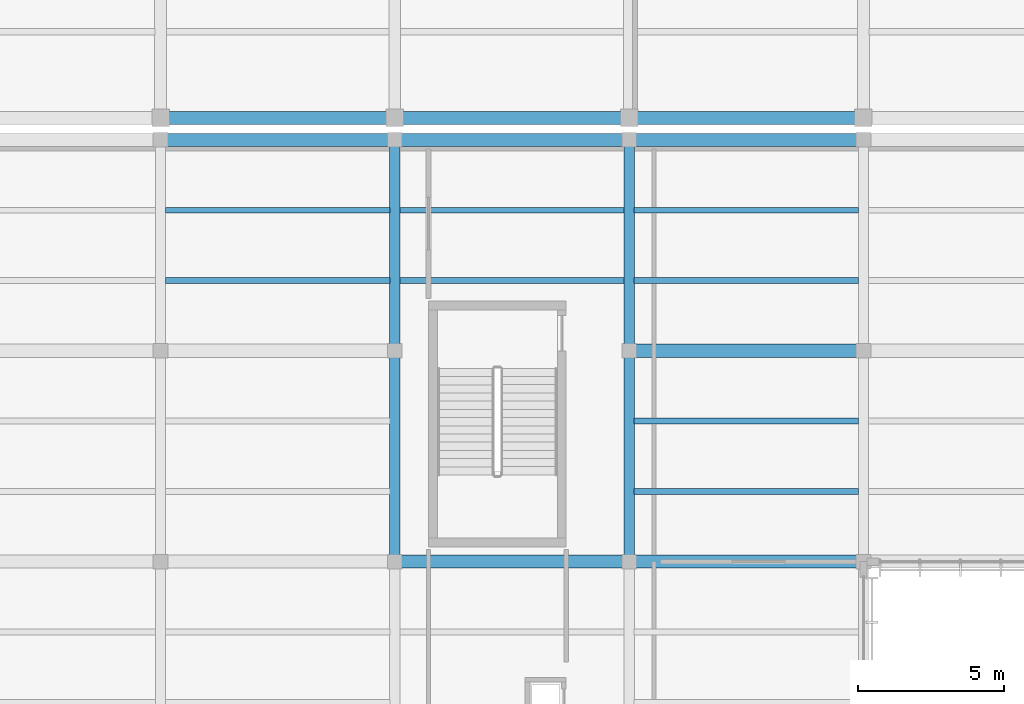
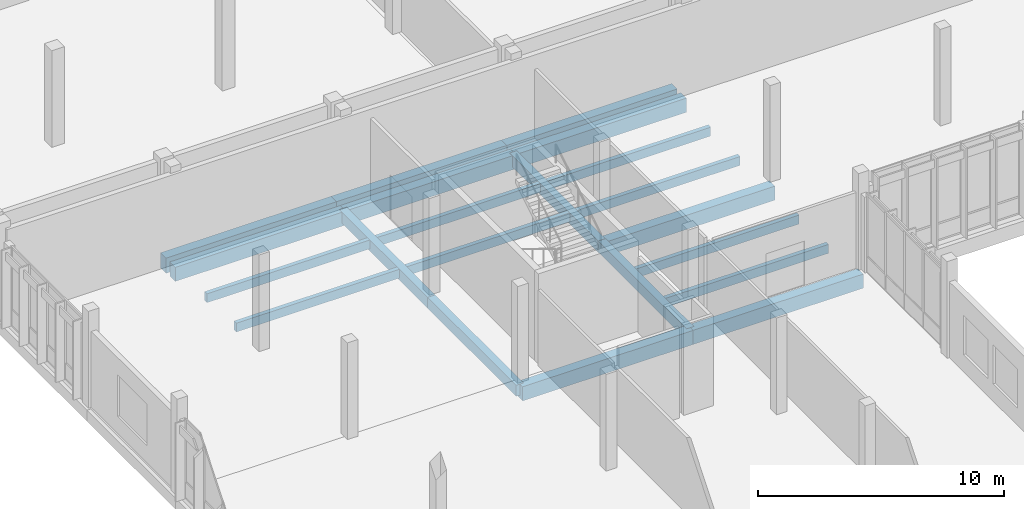
# One storey, part 66 of 177: 21 beams.
"""IFC4 building model written with IfcOpenShell, lengths in metres."""

import ifcopenshell
import ifcopenshell.guid

model = None  # the IFC model being written
_history = None  # IfcOwnerHistory: only IFC2X3 demands one
_inside = {}  # id of a spatial element -> (the spatial element, [elements in it])
_under = {}  # id of a project, library or spatial element -> (it, [spatial elements below it])
_declared = {}  # id of a project -> (the project, [libraries it declares])
_typed = {}  # id of a type object -> (the type object, [elements of that type])
_made_of = {}  # id of a material, layer set ... -> (it, [elements and type objects made of it])


def new_model(schema):
    """Start an empty IFC model of exactly this schema.

    Asked for "IFC4X3", IfcOpenShell would pick the latest addendum, in which some entities
    have other attributes; the version numbers below select the first issue.
    IFC2X3 requires an IfcOwnerHistory on every rooted entity: one is made here for all.
    """
    global model, _history
    if schema == "IFC4X3":
        model = ifcopenshell.file(schema_version=(4, 3, 0, 0))
    else:
        model = ifcopenshell.file(schema=schema)
    _inside.clear()
    _under.clear()
    _declared.clear()
    _typed.clear()
    _made_of.clear()
    _history = None
    if model.schema == "IFC2X3":
        org = make("IfcOrganization", Name="unknown")
        user = make(
            "IfcPersonAndOrganization",
            ThePerson=make("IfcPerson", FamilyName="unknown"),
            TheOrganization=org,
        )
        app = make(
            "IfcApplication",
            ApplicationDeveloper=org,
            Version="unknown",
            ApplicationFullName="unknown",
            ApplicationIdentifier="unknown",
        )
        _history = make(
            "IfcOwnerHistory",
            OwningUser=user,
            OwningApplication=app,
            ChangeAction="ADDED",
            CreationDate=0,
        )
    return model


def make(cls, **values):
    """One entity of the class cls with the attributes given. An attribute that is None is left unset."""
    return model.create_entity(
        cls, **{name: value for name, value in values.items() if value is not None}
    )


def rooted(cls, **values):
    """An entity with a GlobalId (a new one), such as an element, a storey or a relation."""
    return make(cls, GlobalId=ifcopenshell.guid.new(), OwnerHistory=_history, **values)


def si_unit(unit_type, name, prefix=None):
    """IfcSIUnit, for example si_unit("LENGTHUNIT", "METRE", prefix="MILLI")."""
    return make("IfcSIUnit", UnitType=unit_type, Prefix=prefix, Name=name)


def assignment(units):
    """IfcUnitAssignment: the units of a project."""
    return None if units is None else make("IfcUnitAssignment", Units=units)


def point(xyz):
    """IfcCartesianPoint."""
    return None if xyz is None else make("IfcCartesianPoint", Coordinates=xyz)


def direction(xyz):
    """IfcDirection."""
    return None if xyz is None else make("IfcDirection", DirectionRatios=xyz)


def frame(location, z_axis=None, x_axis=None):
    """IfcAxis2Placement3D, a coordinate frame: its origin and axes. An axis left out is left unset."""
    return make(
        "IfcAxis2Placement3D",
        Location=point(location),
        Axis=direction(z_axis),
        RefDirection=direction(x_axis),
    )


def frame_2d(location, x_axis=None):
    """IfcAxis2Placement2D, a coordinate frame in the plane: its origin and x axis."""
    return make(
        "IfcAxis2Placement2D", Location=point(location), RefDirection=direction(x_axis)
    )


def origin():
    """The frame at (0, 0, 0) with its axes left unset."""
    return frame((0.0, 0.0, 0.0))


def origin_2d():
    """The frame at (0, 0) in the plane with its x axis left unset."""
    return frame_2d((0.0, 0.0))


def place(relative_to, where):
    """IfcLocalPlacement: puts the frame where relative to a parent placement (None: the world)."""
    return make(
        "IfcLocalPlacement", PlacementRelTo=relative_to, RelativePlacement=where
    )


def context(
    kind, dimensions, precision=None, world=None, true_north=None, identifier=None
):
    """IfcGeometricRepresentationContext, for example the 3D "Model" context."""
    return make(
        "IfcGeometricRepresentationContext",
        ContextIdentifier=identifier,
        ContextType=kind,
        CoordinateSpaceDimension=dimensions,
        Precision=precision,
        WorldCoordinateSystem=world,
        TrueNorth=true_north,
    )


def subcontext(parent, identifier, kind, view, scale=None):
    """IfcGeometricRepresentationSubContext, for example "Body" below "Model"."""
    return make(
        "IfcGeometricRepresentationSubContext",
        ContextIdentifier=identifier,
        ContextType=kind,
        ParentContext=parent,
        TargetScale=scale,
        TargetView=view,
    )


def project(units=None, contexts=None):
    """IfcProject with its units and contexts."""
    return rooted(
        "IfcProject",
        Name="project",
        RepresentationContexts=contexts,
        UnitsInContext=assignment(units),
    )


def spatial(cls, under=None, at=None, **own):
    """A site, building, storey or space (cls), placed at a placement, below another one or the project."""
    s = rooted(cls, ObjectPlacement=at, **own)
    if under is not None:
        _under.setdefault(under.id(), (under, []))[1].append(s)
    return s


def profile(cls, at=None, kind="AREA", **sizes):
    """A parametric profile (cls). Its sizes go by their IFC names, for example OverallWidth=200.0."""
    return make(cls, ProfileType=kind, Position=at, **sizes)


def rectangle(**sizes):
    """IfcRectangleProfileDef."""
    return profile("IfcRectangleProfileDef", **sizes)


def extrude(swept, where, along, depth):
    """IfcExtrudedAreaSolid: the profile swept, set in the frame where, extruded along a direction by depth."""
    return make(
        "IfcExtrudedAreaSolid",
        SweptArea=swept,
        Position=where,
        ExtrudedDirection=direction(along),
        Depth=depth,
    )


def shape(context_of_items, identifier, shape_type, items):
    """IfcShapeRepresentation: the items that make up one representation, for example the "Body"."""
    return make(
        "IfcShapeRepresentation",
        ContextOfItems=context_of_items,
        RepresentationIdentifier=identifier,
        RepresentationType=shape_type,
        Items=items,
    )


def material(Name=None, Category=None):
    """IfcMaterial."""
    return make("IfcMaterial", Name=Name, Category=Category)


def material_profile(
    of_material, cross_section, Name=None, Category=None, Priority=None
):
    """IfcMaterialProfile: a cross section and its material."""
    return make(
        "IfcMaterialProfile",
        Name=Name,
        Material=of_material,
        Profile=cross_section,
        Priority=Priority,
        Category=Category,
    )


def profile_set(profiles, Name=None, composite=None):
    """IfcMaterialProfileSet."""
    return make(
        "IfcMaterialProfileSet",
        Name=Name,
        MaterialProfiles=profiles,
        CompositeProfile=composite,
    )


def made_of(thing, what):
    """Note that an element or type object is made of a material, layer set ...; save() writes the relation."""
    if what is not None:
        _made_of.setdefault(what.id(), (what, []))[1].append(thing)
    return thing


def type_object(cls, material=None, **own):
    """A type object (cls), such as IfcWallType, which elements share."""
    return made_of(rooted(cls, **own), material)


def element(
    cls,
    number,
    at=None,
    inside=None,
    cuts=None,
    type_object=None,
    material=None,
    context=None,
    identifier="Body",
    shape_type=None,
    held_by="IfcProductDefinitionShape",
    body=None,
    shapes=None,
    **own,
):
    """One element of the class cls, such as IfcWall. Its Tag is "e" and its number.

    at: its placement. inside: the storey or other place that contains it. cuts: it is an
    opening in that element (IfcRelVoidsElement). A single representation is given by context,
    identifier, shape_type and body (its items); several are given by shapes. held_by: the class
    of the entity that holds the representations. save() writes the other relations.
    """
    e = rooted(cls, Tag="e%d" % number, ObjectPlacement=at, **own)
    if body is not None:
        shapes = [shape(context, identifier, shape_type, body)]
    if shapes is not None:
        e.Representation = make(held_by, Representations=shapes)
    if inside is not None:
        _inside.setdefault(inside.id(), (inside, []))[1].append(e)
    if cuts is not None:
        rooted(
            "IfcRelVoidsElement", RelatingBuildingElement=cuts, RelatedOpeningElement=e
        )
    if type_object is not None:
        _typed.setdefault(type_object.id(), (type_object, []))[1].append(e)
    return made_of(e, material)


def aggregate(whole, parts):
    """IfcRelAggregates: a whole, such as a stair, and the parts it consists of."""
    return rooted("IfcRelAggregates", RelatingObject=whole, RelatedObjects=parts)


def save(model, path):
    """Write the relations noted so far, then the file.

    IfcRelAggregates (storeys below a building ...), IfcRelContainedInSpatialStructure (elements
    in a storey), IfcRelDefinesByType, IfcRelAssociatesMaterial and IfcRelDeclares: one each for
    every whole, place, type object, material and project.
    """
    for whole, parts in _under.values():
        aggregate(whole, parts)
    for where, things in _inside.values():
        rooted(
            "IfcRelContainedInSpatialStructure",
            RelatedElements=things,
            RelatingStructure=where,
        )
    for kind, things in _typed.values():
        rooted("IfcRelDefinesByType", RelatedObjects=things, RelatingType=kind)
    for what, things in _made_of.values():
        rooted("IfcRelAssociatesMaterial", RelatedObjects=things, RelatingMaterial=what)
    for by, libraries in _declared.values():
        rooted("IfcRelDeclares", RelatingContext=by, RelatedDefinitions=libraries)
    model.write(path)


model = new_model("IFC4")

# Units and contexts
model_context = context("Model", 3, precision=1e-05, world=origin(), true_north=direction((0.0, 1.0)))
body_context = subcontext(model_context, "Body", "Model", "MODEL_VIEW")
ifc_project = project(units=[si_unit("LENGTHUNIT", "METRE"), si_unit("AREAUNIT", "SQUARE_METRE"), si_unit("VOLUMEUNIT", "CUBIC_METRE"), si_unit("PLANEANGLEUNIT", "RADIAN"), si_unit("MASSUNIT", "GRAM", prefix="KILO")], contexts=[model_context])

# Site, building, storey
site_placement = place(None, origin())
site = spatial("IfcSite", under=ifc_project, at=site_placement, CompositionType="ELEMENT")
building_placement = place(site_placement, origin())
building = spatial("IfcBuilding", under=site, at=building_placement, Name="Chiffa Square Polytechnic", CompositionType="ELEMENT")
storey_placement = place(building_placement, frame((0.0, 0.0, 4.800048828125)))
storey = spatial("IfcBuildingStorey", under=building, at=storey_placement, Name="L01", CompositionType="ELEMENT", Elevation=4.800048828125)

# Beams
ifc_material_1 = material(Name="Concrete C35/45", Category="concrete")
ifc_material_profile_1 = material_profile(ifc_material_1, rectangle(XDim=0.35009765625, YDim=0.550048828125, at=origin_2d()), Name="RC 350x550")
ifc_profile_set_1 = profile_set([ifc_material_profile_1], Name="Concrete C35/45")
beam_type_1 = type_object("IfcBeamType", Name="BM-RC-350X550", PredefinedType="BEAM", material=ifc_profile_set_1)
for number, where, z_axis, x_axis, name in (
    (1, (16.0, 79.800048828125, -0.554931640625), (0.0, 1.0, 0.0), (-1.0, 0.0, 0.0), "Primary floor girder BM-V6-L01-Y-0160-0798"),
    (2, (16.0, 87.0, -0.554931640625), (0.0, 1.0, 0.0), (-1.0, 0.0, 0.0), "Primary floor girder BM-V6-L01-Y-0160-0870"),
    (3, (24.0, 79.800048828125, -0.554931640625), (0.0, 1.0, 0.0), (-1.0, 0.0, 0.0), "Primary floor girder BM-V6-L01-Y-0240-0798"),
    (4, (24.0, 87.0, -0.554931640625), (0.0, 1.0, 0.0), (-1.0, 0.0, 0.0), "Primary floor girder BM-V6-L01-Y-0240-0870"),
):
    element("IfcBeam", number, at=place(storey_placement, frame(where, z_axis=z_axis, x_axis=x_axis)), inside=storey, type_object=beam_type_1, Name=name, PredefinedType="BEAM", context=body_context, shape_type="SweptSolid", body=[
        extrude(rectangle(XDim=0.35009765625, YDim=0.550048828125, at=origin_2d()), origin(), (0.0, 0.0, 1.0), 7.199951171875),
    ])
ifc_material_profile_2 = material_profile(ifc_material_1, rectangle(XDim=0.449951171875, YDim=0.699951171875, at=origin_2d()), Name="RC 450x700")
ifc_profile_set_2 = profile_set([ifc_material_profile_2], Name="Concrete C35/45")
beam_type_2 = type_object("IfcBeamType", Name="BM-RC-450X700", PredefinedType="BEAM", material=ifc_profile_set_2)
for number, where, z_axis, x_axis, name in (
    (5, (16.0, 79.800048828125, -0.630126953125), (1.0, 0.0, 0.0), (0.0, 1.0, 0.0), "Primary floor girder BM-V6-L01-X-0160-0798"),
    (6, (24.0, 79.800048828125, -0.630126953125), (1.0, 0.0, 0.0), (0.0, 1.0, 0.0), "Primary floor girder BM-V6-L01-X-0240-0798"),
    (7, (24.0, 87.0, -0.630126953125), (1.0, 0.0, 0.0), (0.0, 1.0, 0.0), "Primary floor girder BM-V6-L01-X-0240-0870"),
    (8, (8.0, 94.199951171875, -0.630126953125), (1.0, 0.0, 0.0), (0.0, 1.0, 0.0), "Primary floor girder BM-V6-L01-X-0080-0942"),
    (9, (16.0, 94.199951171875, -0.630126953125), (1.0, 0.0, 0.0), (0.0, 1.0, 0.0), "Primary floor girder BM-V6-L01-X-0160-0942"),
    (10, (24.0, 94.199951171875, -0.630126953125), (1.0, 0.0, 0.0), (0.0, 1.0, 0.0), "Primary floor girder BM-V6-L01-X-0240-0942"),
):
    element("IfcBeam", number, at=place(storey_placement, frame(where, z_axis=z_axis, x_axis=x_axis)), inside=storey, type_object=beam_type_2, Name=name, PredefinedType="BEAM", context=body_context, shape_type="SweptSolid", body=[
        extrude(rectangle(XDim=0.449951171875, YDim=0.699951171875, at=origin_2d()), origin(), (0.0, 0.0, 1.0), 8.0),
    ])
ifc_material_profile_3 = material_profile(ifc_material_1, rectangle(XDim=0.449951171875, YDim=0.75, at=origin_2d()), Name="RC 450x750")
ifc_profile_set_3 = profile_set([ifc_material_profile_3], Name="Concrete C35/45")
beam_type_3 = type_object("IfcBeamType", Name="BM-RC-450X750", PredefinedType="BEAM", material=ifc_profile_set_3)
for number, where, z_axis, x_axis, name in (
    (11, (8.0, 94.949951171875, -0.655029296875), (1.0, 0.0, 0.0), (0.0, 1.0, 0.0), "Primary floor girder BM-V5-L01-X-0080-0950"),
    (12, (16.0, 94.949951171875, -0.655029296875), (1.0, 0.0, 0.0), (0.0, 1.0, 0.0), "Primary floor girder BM-V5-L01-X-0160-0950"),
    (13, (24.0, 94.949951171875, -0.655029296875), (1.0, 0.0, 0.0), (0.0, 1.0, 0.0), "Primary floor girder BM-V5-L01-X-0240-0950"),
):
    element("IfcBeam", number, at=place(storey_placement, frame(where, z_axis=z_axis, x_axis=x_axis)), inside=storey, type_object=beam_type_3, Name=name, PredefinedType="BEAM", context=body_context, shape_type="SweptSolid", body=[
        extrude(rectangle(XDim=0.449951171875, YDim=0.75, at=origin_2d()), origin(), (0.0, 0.0, 1.0), 8.0),
    ])
ifc_material_2 = material(Name="Glulam GL28h", Category="wood")
ifc_material_profile_4 = material_profile(ifc_material_2, rectangle(XDim=0.199951171875, YDim=0.43994140625, at=origin_2d()), Name="GL28h 200x440")
ifc_profile_set_4 = profile_set([ifc_material_profile_4], Name="Glulam GL28h")
beam_type_4 = type_object("IfcBeamType", Name="JST-GL-200X440", PredefinedType="JOIST", material=ifc_profile_set_4)
for number, where, z_axis, x_axis, name in (
    (14, (8.173095703125, 89.39990234375, -0.5), (1.0, 0.0, 0.0), (0.0, 1.0, 0.0), "Secondary floor joist JST-V6-L01-0080-0894"),
    (15, (8.173095703125, 91.800048828125, -0.5), (1.0, 0.0, 0.0), (0.0, 1.0, 0.0), "Secondary floor joist JST-V6-L01-0080-0918"),
    (16, (16.173095703125, 89.39990234375, -0.5), (1.0, 0.0, 0.0), (0.0, 1.0, 0.0), "Secondary floor joist JST-V6-L01-0160-0894"),
    (17, (16.173095703125, 91.800048828125, -0.5), (1.0, 0.0, 0.0), (0.0, 1.0, 0.0), "Secondary floor joist JST-V6-L01-0160-0918"),
    (18, (24.173095703125, 82.199951171875, -0.5), (1.0, 0.0, 0.0), (0.0, 1.0, 0.0), "Secondary floor joist JST-V6-L01-0240-0822"),
    (19, (24.173095703125, 84.60009765625, -0.5), (1.0, 0.0, 0.0), (0.0, 1.0, 0.0), "Secondary floor joist JST-V6-L01-0240-0846"),
    (20, (24.173095703125, 89.39990234375, -0.5), (1.0, 0.0, 0.0), (0.0, 1.0, 0.0), "Secondary floor joist JST-V6-L01-0240-0894"),
    (21, (24.173095703125, 91.800048828125, -0.5), (1.0, 0.0, 0.0), (0.0, 1.0, 0.0), "Secondary floor joist JST-V6-L01-0240-0918"),
):
    element("IfcBeam", number, at=place(storey_placement, frame(where, z_axis=z_axis, x_axis=x_axis)), inside=storey, type_object=beam_type_4, Name=name, PredefinedType="JOIST", context=body_context, shape_type="SweptSolid", body=[
        extrude(rectangle(XDim=0.199951171875, YDim=0.43994140625, at=origin_2d()), origin(), (0.0, 0.0, 1.0), 7.65380859375),
    ])

save(model, "model.ifc")
